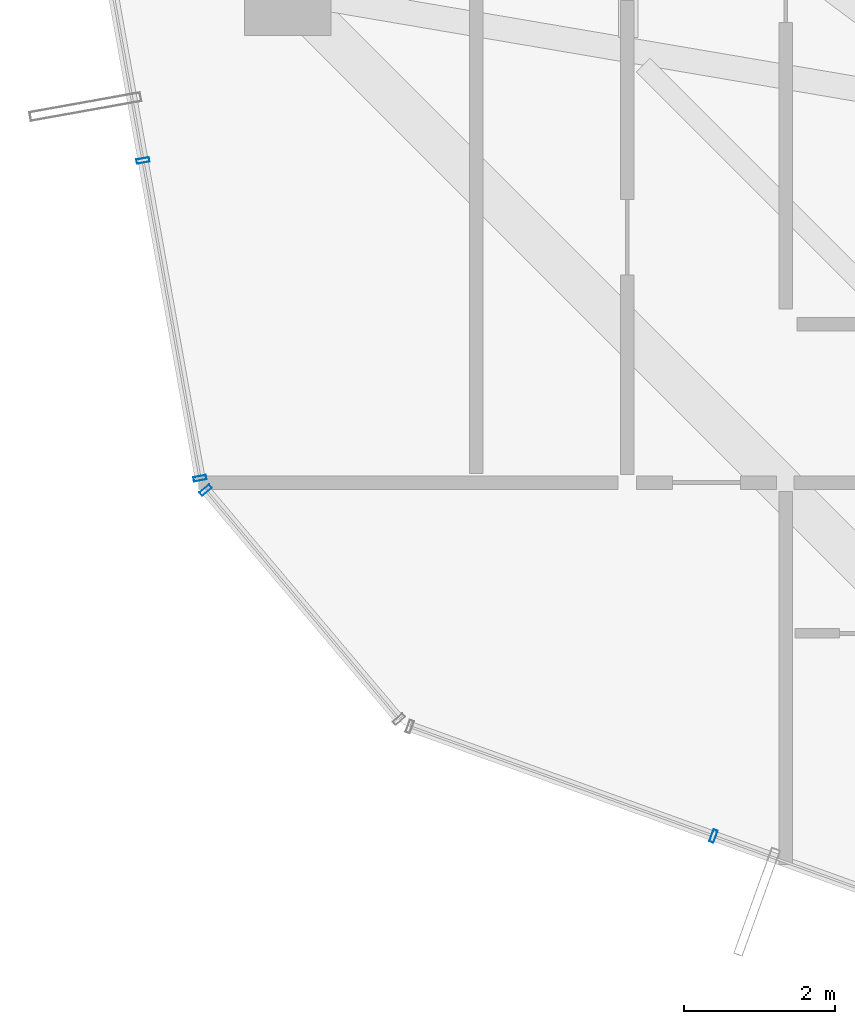
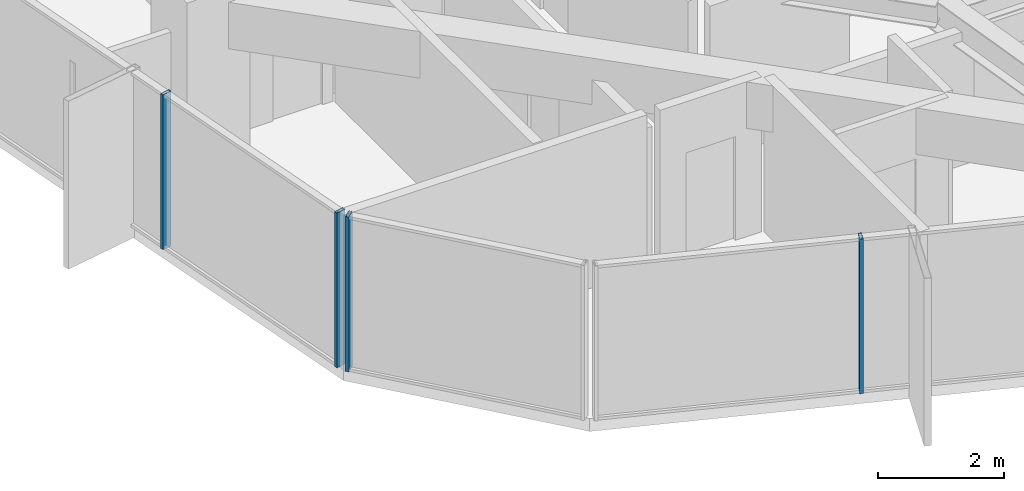
# One storey, part 4 of 36: 4 members, 3 elements without a shape of their own.
"""IFC4 building model written with IfcOpenShell, lengths in metres."""

from ifc_helpers import new_model, si_unit, direction, frame, origin, origin_2d, place, context, subcontext, project, spatial, hollow_rectangle, extrude, source, transform, mapped, material, layer, layer_set, material_profile, profile_set, type_object, element, aggregate, save


model = new_model("IFC4")

# Units and contexts
model_context = context("Model", 3, precision=1e-05, world=origin(), true_north=direction((0.0, 1.0)))
body_context = subcontext(model_context, "Body", "Model", "MODEL_VIEW")
ifc_project = project(units=[si_unit("LENGTHUNIT", "METRE"), si_unit("AREAUNIT", "SQUARE_METRE"), si_unit("VOLUMEUNIT", "CUBIC_METRE"), si_unit("PLANEANGLEUNIT", "RADIAN"), si_unit("MASSUNIT", "GRAM", prefix="KILO")], contexts=[model_context])

# Site, building, storey
site_placement = place(None, origin())
site = spatial("IfcSite", under=ifc_project, at=site_placement, CompositionType="ELEMENT")
building_placement = place(site_placement, origin())
building = spatial("IfcBuilding", under=site, at=building_placement, Name="Veraguas Prism Commons", CompositionType="ELEMENT")
storey_placement = place(building_placement, frame((0.0, 0.0, 163.050048828125)))
storey = spatial("IfcBuildingStorey", under=building, at=storey_placement, Name="L46", CompositionType="ELEMENT", Elevation=163.050048828125)

# Curtain wall, members
ifc_material = material(Name="Anodised aluminium EN AW-6063 T6", Category="aluminium")
ifc_layer = layer(ifc_material, 0.169921875, Name="Unitised Flush Curtain Wall Zone 2", Category="aluminium")
ifc_layer_set = layer_set([ifc_layer], Name="Anodised aluminium EN AW-6063 T6")
curtain_wall_type = type_object("IfcCurtainWallType", Name="Unitised Flush Curtain Wall Zone 2", PredefinedType="NOTDEFINED", material=ifc_layer_set)
curtain_wall_1_placement = place(storey_placement, origin())
curtain_wall_1 = element("IfcCurtainWall", 1, at=curtain_wall_1_placement, inside=storey, type_object=curtain_wall_type, Name="Tower Facade Curtain Wall L46-F3", PredefinedType="NOTDEFINED")
ifc_material_profile = material_profile(ifc_material, hollow_rectangle(XDim=0.06005859375, YDim=0.169921875, WallThickness=0.00390625, at=origin_2d()), Name="AL60X170X4")
ifc_profile_set = profile_set([ifc_material_profile], Name="Anodised aluminium EN AW-6063 T6")
member_type = type_object("IfcMemberType", Name="Curtain Wall Mullion Lower AL 60x170x4", PredefinedType="MULLION", material=ifc_profile_set)
shared_shape = source(origin(), body_context, "Body", "SweptSolid", [
    extrude(hollow_rectangle(XDim=0.06005859375, YDim=0.169921875, WallThickness=0.00390625, at=origin_2d()), origin(), (0.0, 0.0, 1.0), 3.0),
])
member_1_placement = place(storey_placement, frame((5.881103515625, 16.368896484375, 0.0), z_axis=(0.0, 0.0, 1.0), x_axis=(0.176741180461, -0.984257362243, 0.0)))
member_1 = element("IfcMember", 2, at=member_1_placement, type_object=member_type, Name="CW-Z2 Mullion 4", PredefinedType="MULLION", context=body_context, shape_type="MappedRepresentation", body=[
    mapped(shared_shape, transform((0.0, 0.0, 0.0), scale=1.0)),
])
member_2_placement = place(storey_placement, frame((6.63720703125, 12.15771484375, 0.0), z_axis=(0.0, 0.0, 1.0), x_axis=(0.176741180461, -0.984257362243, 0.0)))
member_2 = element("IfcMember", 3, at=member_2_placement, type_object=member_type, Name="CW-Z2 Mullion 5", PredefinedType="MULLION", context=body_context, shape_type="MappedRepresentation", body=[
    mapped(shared_shape, transform((0.0, 0.0, 0.0), scale=1.0)),
])
aggregate(curtain_wall_1, [member_1, member_2])

# Curtain wall, member
curtain_wall_2_placement = place(storey_placement, origin())
curtain_wall_2 = element("IfcCurtainWall", 4, at=curtain_wall_2_placement, inside=storey, type_object=curtain_wall_type, Name="Tower Facade Curtain Wall L46-F4", PredefinedType="NOTDEFINED")
member_3_placement = place(storey_placement, frame((13.4423828125, 7.414794921875, 0.0), z_axis=(0.0, 0.0, 1.0), x_axis=(0.940760694435, -0.339071254763, 0.0)))
member_3 = element("IfcMember", 5, at=member_3_placement, type_object=member_type, Name="CW-Z2 Mullion 2", PredefinedType="MULLION", context=body_context, shape_type="MappedRepresentation", body=[
    mapped(shared_shape, transform((0.0, 0.0, 0.0), scale=1.0)),
])
aggregate(curtain_wall_2, [member_3])

curtain_wall_3_placement = place(storey_placement, origin())
curtain_wall_3 = element("IfcCurtainWall", 6, at=curtain_wall_3_placement, inside=storey, type_object=curtain_wall_type, Name="Chamfer Curtain Wall L46-C4", PredefinedType="NOTDEFINED")
member_4_placement = place(storey_placement, frame((6.711181640625, 12.00048828125, 0.0), z_axis=(0.0, 0.0, 1.0), x_axis=(0.645187032881, -0.764024667535, 0.0)))
member_4 = element("IfcMember", 7, at=member_4_placement, type_object=member_type, Name="CW-Z2 Mullion 1", PredefinedType="MULLION", context=body_context, shape_type="MappedRepresentation", body=[
    mapped(shared_shape, transform((0.0, 0.0, 0.0), scale=1.0)),
])
aggregate(curtain_wall_3, [member_4])

save(model, "model.ifc")
